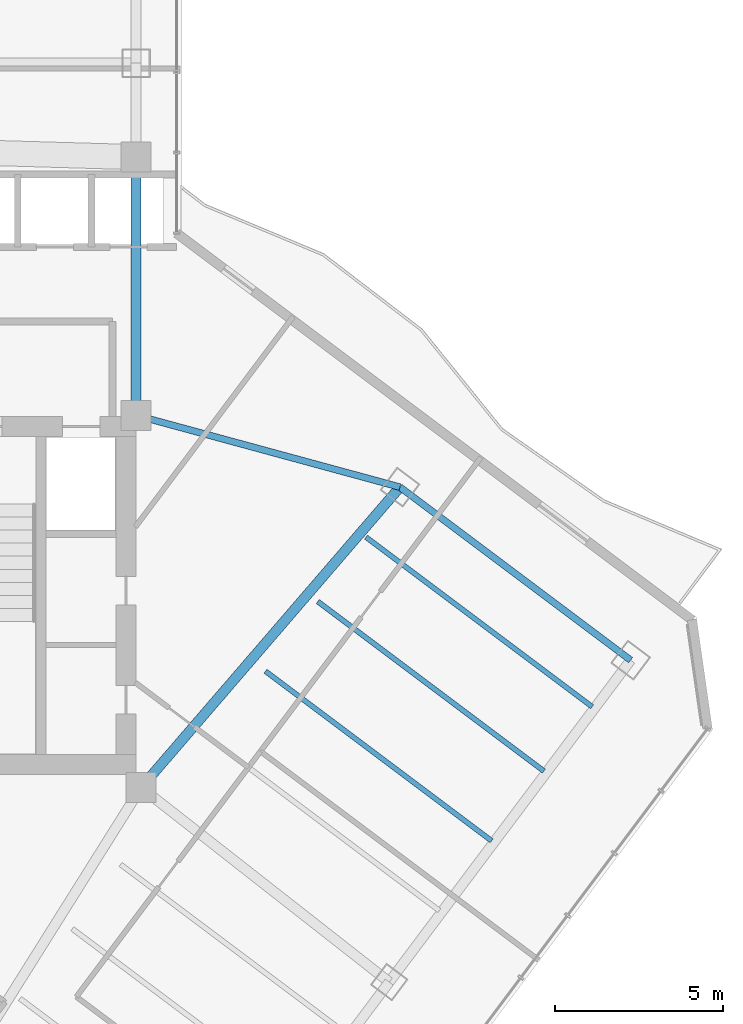
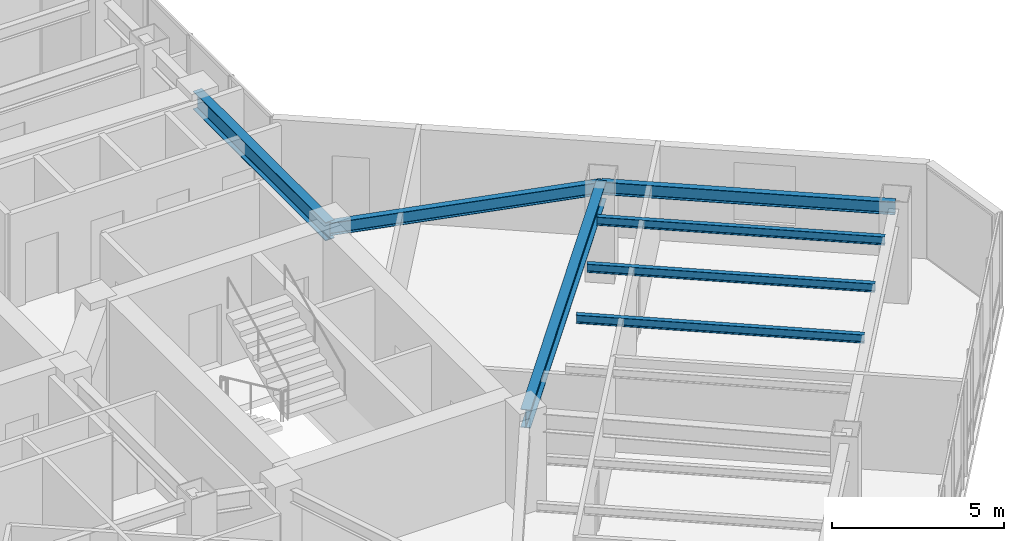
# One storey, part 14 of 27: 7 beams.
"""IFC4 building model written with IfcOpenShell, lengths in metres."""

from ifc_helpers import new_model, si_unit, direction, frame, origin, origin_2d, place, context, subcontext, project, spatial, i_section, extrude, material, material_profile, profile_set, type_object, element, save


model = new_model("IFC4")

# Units and contexts
model_context = context("Model", 3, precision=1e-05, world=origin(), true_north=direction((0.0, 1.0)))
body_context = subcontext(model_context, "Body", "Model", "MODEL_VIEW")
ifc_project = project(units=[si_unit("LENGTHUNIT", "METRE"), si_unit("AREAUNIT", "SQUARE_METRE"), si_unit("VOLUMEUNIT", "CUBIC_METRE"), si_unit("PLANEANGLEUNIT", "RADIAN"), si_unit("MASSUNIT", "GRAM", prefix="KILO")], contexts=[model_context])

# Site, building, storey
site_placement = place(None, origin())
site = spatial("IfcSite", under=ifc_project, at=site_placement, CompositionType="ELEMENT")
building_placement = place(site_placement, origin())
building = spatial("IfcBuilding", under=site, at=building_placement, Name="Hatsunagi Terrace Concourse", CompositionType="ELEMENT")
storey_placement = place(building_placement, frame((0.0, 0.0, 156.449951171875)))
storey = spatial("IfcBuildingStorey", under=building, at=storey_placement, Name="L41", CompositionType="ELEMENT", Elevation=156.449951171875)

# Beams
ifc_material_1 = material(Name="Steel SN490B", Category="steel")
ifc_material_profile_1 = material_profile(ifc_material_1, i_section(OverallWidth=0.14990234375, OverallDepth=0.300048828125, WebThickness=0.006591796875, FlangeThickness=0.009033203125, FilletRadius=0.010986328125, at=origin_2d()), Name="H-300x150x6.5x9")
ifc_profile_set_1 = profile_set([ifc_material_profile_1], Name="Steel SN490B")
beam_type_1 = type_object("IfcBeamType", Name="OfficeJoist_H_300x150", PredefinedType="JOIST", material=ifc_profile_set_1)
for number, where, z_axis, x_axis, name in (
    (1, (47.508056640625, 27.6689453125, 3.199951171875), (0.800003475366, -0.59999536615, 0.0), (0.59999536615, 0.800003475366, 0.0), "Beam J-03 J-L41-SE-2-168"),
    (2, (49.068115234375, 29.7490234375, 3.199951171875), (0.799989573921, -0.600013901187, 0.0), (0.600013901187, 0.799989573921, 0.0), "Beam J-03 J-L41-SE-2-194"),
    (3, (50.508056640625, 31.6689453125, 3.199951171875), (0.800003475366, -0.59999536615, 0.0), (0.59999536615, 0.800003475366, 0.0), "Beam J-03 J-L41-SE-2-218"),
):
    element("IfcBeam", number, at=place(storey_placement, frame(where, z_axis=z_axis, x_axis=x_axis)), inside=storey, type_object=beam_type_1, Name=name, PredefinedType="JOIST", context=body_context, shape_type="SweptSolid", body=[
        extrude(i_section(OverallWidth=0.14990234375, OverallDepth=0.300048828125, WebThickness=0.006591796875, FlangeThickness=0.009033203125, FilletRadius=0.010986328125, at=origin_2d()), origin(), (0.0, 0.0, 1.0), 8.429931640625),
    ])
ifc_material_2 = material(Name="Steel SN490B", Category="steel")
ifc_material_profile_2 = material_profile(ifc_material_2, i_section(OverallWidth=0.300048828125, OverallDepth=0.64990234375, WebThickness=0.012939453125, FlangeThickness=0.02197265625, FilletRadius=0.01806640625, at=origin_2d()), Name="H-650x300x13x22")
ifc_profile_set_2 = profile_set([ifc_material_profile_2], Name="Steel SN490B")
beam_type_2 = type_object("IfcBeamType", Name="OfficeLowGirder_H_650x300", PredefinedType="BEAM", material=ifc_profile_set_2)
beam_1_placement = place(storey_placement, frame((43.64990234375, 35.300048828125, 3.025146484375), z_axis=(0.0, 1.0, 0.0), x_axis=(-1.0, 0.0, 0.0)))
element("IfcBeam", 4, at=beam_1_placement, inside=storey, type_object=beam_type_2, Name="Beam G-05 BM-L41-CBK3", PredefinedType="BEAM", context=body_context, shape_type="SweptSolid", body=[
    extrude(i_section(OverallWidth=0.300048828125, OverallDepth=0.64990234375, WebThickness=0.012939453125, FlangeThickness=0.02197265625, FilletRadius=0.01806640625, at=origin_2d()), origin(), (0.0, 0.0, 1.0), 7.699951171875),
])
beam_2_placement = place(storey_placement, frame((43.800048828125, 24.199951171875, 3.025146484375), z_axis=(0.652739101421, 0.757582777969, 0.0), x_axis=(-0.757582777969, 0.652739101421, 0.0)))
element("IfcBeam", 5, at=beam_2_placement, inside=storey, type_object=beam_type_2, Name="Beam G-05 BM-L41-SET-1B", PredefinedType="BEAM", context=body_context, shape_type="SweptSolid", body=[
    extrude(i_section(OverallWidth=0.300048828125, OverallDepth=0.64990234375, WebThickness=0.012939453125, FlangeThickness=0.02197265625, FilletRadius=0.01806640625, at=origin_2d()), origin(), (0.0, 0.0, 1.0), 11.8271484375),
])
ifc_material_3 = material(Name="Steel SN490B", Category="steel")
ifc_material_profile_3 = material_profile(ifc_material_3, i_section(OverallWidth=0.199951171875, OverallDepth=0.449951171875, WebThickness=0.009033203125, FlangeThickness=0.013916015625, FilletRadius=0.01611328125, at=origin_2d()), Name="H-450x200x9x14")
ifc_profile_set_3 = profile_set([ifc_material_profile_3], Name="Steel SN490B")
beam_type_3 = type_object("IfcBeamType", Name="PerimeterSpandrel_H_450x200", PredefinedType="SPANDREL", material=ifc_profile_set_3)
beam_3_placement = place(storey_placement, frame((43.64990234375, 35.300048828125, 3.125), z_axis=(0.964958359286, -0.262403057994, 0.0), x_axis=(0.262403057994, 0.964958359286, 0.0)))
element("IfcBeam", 6, at=beam_3_placement, inside=storey, type_object=beam_type_3, Name="Beam SP-02 BM-L41-SE-NE0", PredefinedType="SPANDREL", context=body_context, shape_type="SweptSolid", body=[
    extrude(i_section(OverallWidth=0.199951171875, OverallDepth=0.449951171875, WebThickness=0.009033203125, FlangeThickness=0.013916015625, FilletRadius=0.01611328125, at=origin_2d()), origin(), (0.0, 0.0, 1.0), 8.156005859375),
])
beam_4_placement = place(storey_placement, frame((51.52001953125, 33.159912109375, 3.125), z_axis=(0.8, -0.6, 0.0), x_axis=(0.6, 0.8, 0.0)))
element("IfcBeam", 7, at=beam_4_placement, inside=storey, type_object=beam_type_3, Name="Beam SP-02 BM-L41-SE-NE2", PredefinedType="SPANDREL", context=body_context, shape_type="SweptSolid", body=[
    extrude(i_section(OverallWidth=0.199951171875, OverallDepth=0.449951171875, WebThickness=0.009033203125, FlangeThickness=0.013916015625, FilletRadius=0.01611328125, at=origin_2d()), origin(), (0.0, 0.0, 1.0), 8.599853515625),
])

save(model, "model.ifc")
